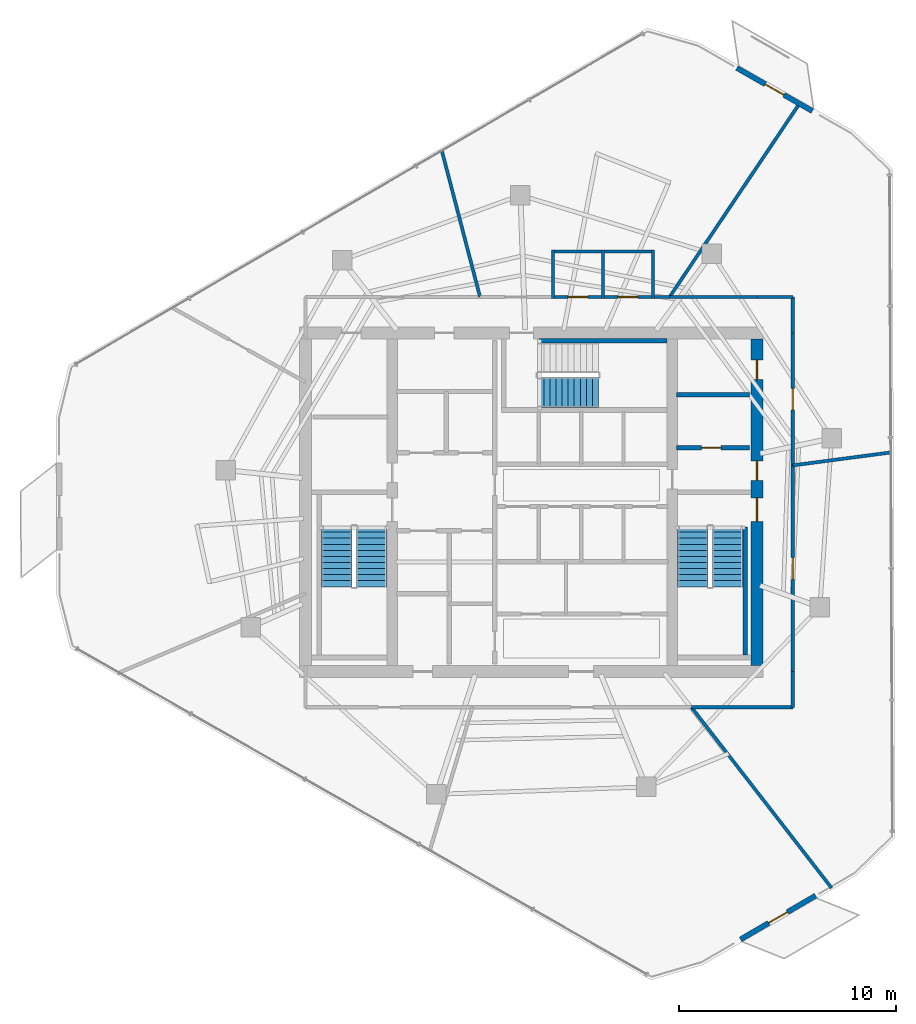
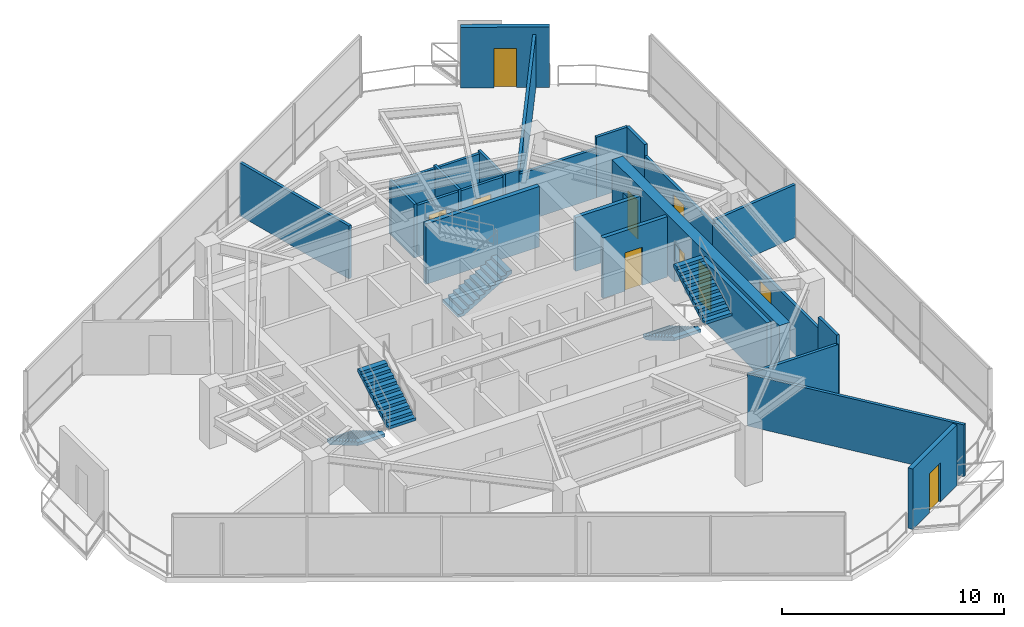
# One storey, part 16 of 19: 26 walls, 10 doors, 5 stair flights, 10 openings, 3 elements without a shape of their own.
"""IFC4 building model written with IfcOpenShell, lengths in metres."""

from ifc_helpers import new_model, si_unit, direction, frame, frame_2d, origin, place, context, subcontext, project, spatial, polyline, rectangle, outline, extrude, material, layer, layer_set, type_object, element, fill, aggregate, save


model = new_model("IFC4")

# Units and contexts
model_context = context("Model", 3, precision=1e-05, world=origin(), true_north=direction((0.0, 1.0)))
body_context = subcontext(model_context, "Body", "Model", "MODEL_VIEW")
ifc_project = project(units=[si_unit("LENGTHUNIT", "METRE"), si_unit("AREAUNIT", "SQUARE_METRE"), si_unit("VOLUMEUNIT", "CUBIC_METRE"), si_unit("PLANEANGLEUNIT", "RADIAN"), si_unit("MASSUNIT", "GRAM", prefix="KILO")], contexts=[model_context])

# Site, building, storey
site_placement = place(None, origin())
site = spatial("IfcSite", under=ifc_project, at=site_placement, CompositionType="ELEMENT")
building_placement = place(site_placement, origin())
building = spatial("IfcBuilding", under=site, at=building_placement, Name="Qarnah Convention Tower", CompositionType="ELEMENT")
storey_placement = place(building_placement, frame((0.0, 0.0, 180.60009765625)))
storey = spatial("IfcBuildingStorey", under=building, at=storey_placement, Name="L48", CompositionType="ELEMENT", Elevation=180.60009765625)

# Wall, openings, doors
ifc_material_1 = material(Name="Concrete C60/75", Category="concrete")
ifc_layer_1 = layer(ifc_material_1, 0.550048828125)
ifc_layer_set_1 = layer_set([ifc_layer_1], Name="Concrete C60/75")
wall_type_1 = type_object("IfcWallType", Name="WL-CORE-550", PredefinedType="SHEAR", material=ifc_layer_set_1)
wall_1_placement = place(storey_placement, frame((47.60009765625, 18.875, 0.0), z_axis=(0.0, 0.0, 1.0), x_axis=(0.0, 1.0, 0.0)))
wall_1 = element("IfcWall", 1, at=wall_1_placement, inside=storey, type_object=wall_type_1, Name="L48 core east shear wall", PredefinedType="SHEAR", context=body_context, shape_type="SweptSolid", body=[
    extrude(rectangle(XDim=15.050048828125, YDim=0.550048828125, at=frame_2d((7.52490234375, 0.0))), origin(), (0.0, 0.0, 1.0), 3.31982421875),
])
opening_1_placement = place(wall_1_placement, frame((6.625, 0.0, 0.0)))
opening_1 = element("IfcOpeningElement", 2, at=opening_1_placement, cuts=wall_1, Name="Opening D-4802", PredefinedType="OPENING", context=body_context, shape_type="SweptSolid", body=[
    extrude(rectangle(XDim=1.10009765625, YDim=2.14990234375, at=frame_2d((0.550048828125, 1.074951171875))), frame((0.0, 0.284912109375, 0.0), z_axis=(0.0, -1.0, 0.0), x_axis=(1.0, 0.0, 0.0)), (0.0, 0.0, 1.0), 0.570068359375),
])
opening_2_placement = place(wall_1_placement, frame((8.52490234375, 0.0, 0.0)))
opening_2 = element("IfcOpeningElement", 3, at=opening_2_placement, cuts=wall_1, Name="Opening D-4806", PredefinedType="OPENING", context=body_context, shape_type="SweptSolid", body=[
    extrude(rectangle(XDim=0.89990234375, YDim=2.10009765625, at=frame_2d((0.449951171875, 1.050048828125))), frame((0.0, 0.284912109375, 0.0), z_axis=(0.0, -1.0, 0.0), x_axis=(1.0, 0.0, 0.0)), (0.0, 0.0, 1.0), 0.570068359375),
])
opening_3_placement = place(wall_1_placement, frame((13.175048828125, 0.0, 0.0)))
opening_3 = element("IfcOpeningElement", 4, at=opening_3_placement, cuts=wall_1, Name="Opening D-4812", PredefinedType="OPENING", context=body_context, shape_type="SweptSolid", body=[
    extrude(rectangle(XDim=0.89990234375, YDim=2.10009765625, at=frame_2d((0.449951171875, 1.050048828125))), frame((0.0, 0.284912109375, 0.0), z_axis=(0.0, -1.0, 0.0), x_axis=(1.0, 0.0, 0.0)), (0.0, 0.0, 1.0), 0.570068359375),
])
ifc_material_2 = material(Name="Structural steel S355JR", Category="steel")
door_type_1 = type_object("IfcDoorType", Name="DT-RISER-900", OperationType="NOTDEFINED", PredefinedType="DOOR", material=ifc_material_2)
door_1_placement = place(opening_2_placement, origin())
door_1 = element("IfcDoor", 5, at=door_1_placement, inside=storey, type_object=door_type_1, Name="Door D-4806", OperationType="SINGLE_SWING_LEFT", OverallHeight=2.10009765625, OverallWidth=0.89990234375, PredefinedType="DOOR", context=body_context, shape_type="SweptSolid", body=[
    extrude(rectangle(XDim=0.89990234375, YDim=2.10009765625, at=frame_2d((0.449951171875, 1.050048828125))), frame((0.0, 0.02490234375, 0.0), z_axis=(0.0, -1.0, 0.0), x_axis=(1.0, 0.0, 0.0)), (0.0, 0.0, 1.0), 0.050048828125),
])
fill(opening_2, door_1)
door_2_placement = place(opening_3_placement, origin())
door_2 = element("IfcDoor", 6, at=door_2_placement, inside=storey, type_object=door_type_1, Name="Door D-4812", OperationType="SINGLE_SWING_LEFT", OverallHeight=2.10009765625, OverallWidth=0.89990234375, PredefinedType="DOOR", context=body_context, shape_type="SweptSolid", body=[
    extrude(rectangle(XDim=0.89990234375, YDim=2.10009765625, at=frame_2d((0.449951171875, 1.050048828125))), frame((0.0, 0.02490234375, 0.0), z_axis=(0.0, -1.0, 0.0), x_axis=(1.0, 0.0, 0.0)), (0.0, 0.0, 1.0), 0.050048828125),
])
fill(opening_3, door_2)
door_type_2 = type_object("IfcDoorType", Name="DT-STAIR-1100", OperationType="NOTDEFINED", PredefinedType="DOOR", material=ifc_material_2)
door_3_placement = place(opening_1_placement, origin())
door_3 = element("IfcDoor", 7, at=door_3_placement, inside=storey, type_object=door_type_2, Name="Door D-4802", OperationType="SINGLE_SWING_LEFT", OverallHeight=2.14990234375, OverallWidth=1.10009765625, PredefinedType="DOOR", context=body_context, shape_type="SweptSolid", body=[
    extrude(rectangle(XDim=1.10009765625, YDim=2.14990234375, at=frame_2d((0.550048828125, 1.074951171875))), frame((0.0, 0.02490234375, 0.0), z_axis=(0.0, -1.0, 0.0), x_axis=(1.0, 0.0, 0.0)), (0.0, 0.0, 1.0), 0.050048828125),
])
fill(opening_1, door_3)

# Wall, opening, door
ifc_material_3 = material(Name="Concrete C45/55", Category="concrete")
ifc_layer_2 = layer(ifc_material_3, 0.199951171875)
ifc_layer_set_2 = layer_set([ifc_layer_2], Name="Concrete C45/55")
wall_type_2 = type_object("IfcWallType", Name="WL-CORE-PART-200", PredefinedType="SOLIDWALL", material=ifc_layer_set_2)
wall_2_placement = place(storey_placement, frame((43.89990234375, 28.89990234375, 0.0), z_axis=(0.0, 0.0, 1.0), x_axis=(1.0, 0.0, 0.0)))
wall_2 = element("IfcWall", 8, at=wall_2_placement, inside=storey, type_object=wall_type_2, Name="L48 interior wall IW-L48-EVSTN", PredefinedType="SOLIDWALL", context=body_context, shape_type="SweptSolid", body=[
    extrude(rectangle(XDim=3.35009765625, YDim=0.199951171875, at=frame_2d((1.675048828125, 0.0))), origin(), (0.0, 0.0, 1.0), 3.31982421875),
])
opening_4_placement = place(wall_2_placement, frame((1.14990234375, 0.0, 0.0)))
opening_4 = element("IfcOpeningElement", 9, at=opening_4_placement, cuts=wall_2, Name="Opening D-4811", PredefinedType="OPENING", context=body_context, shape_type="SweptSolid", body=[
    extrude(rectangle(XDim=0.89990234375, YDim=2.10009765625, at=frame_2d((0.449951171875, 1.050048828125))), frame((0.0, 0.10986328125, 0.0), z_axis=(0.0, -1.0, 0.0), x_axis=(1.0, 0.0, 0.0)), (0.0, 0.0, 1.0), 0.219970703125),
])
door_4_placement = place(opening_4_placement, origin())
door_4 = element("IfcDoor", 10, at=door_4_placement, inside=storey, type_object=door_type_1, Name="Door D-4811", OperationType="SINGLE_SWING_RIGHT", OverallHeight=2.10009765625, OverallWidth=0.89990234375, PredefinedType="DOOR", context=body_context, shape_type="SweptSolid", body=[
    extrude(rectangle(XDim=0.89990234375, YDim=2.10009765625, at=frame_2d((0.449951171875, 1.050048828125))), frame((0.0, 0.02490234375, 0.0), z_axis=(0.0, -1.0, 0.0), x_axis=(1.0, 0.0, 0.0)), (0.0, 0.0, 1.0), 0.050048828125),
])
fill(opening_4, door_4)

# Walls
wall_3_placement = place(storey_placement, frame((43.89990234375, 31.35009765625, 0.0), z_axis=(0.0, 0.0, 1.0), x_axis=(1.0, 0.0, 0.0)))
element("IfcWall", 11, at=wall_3_placement, inside=storey, type_object=wall_type_2, Name="L48 interior wall IW-L48-WTRN", PredefinedType="SOLIDWALL", context=body_context, shape_type="SweptSolid", body=[
    extrude(rectangle(XDim=3.35009765625, YDim=0.199951171875, at=frame_2d((1.675048828125, 0.0))), origin(), (0.0, 0.0, 1.0), 2.948974609375),
])
ifc_layer_3 = layer(ifc_material_1, 0.219970703125)
ifc_layer_set_3 = layer_set([ifc_layer_3], Name="Concrete C60/75")
wall_type_3 = type_object("IfcWallType", Name="WL-CORE-STAIR-220", PredefinedType="SHEAR", material=ifc_layer_set_3)
for number, where, z_axis, x_axis, name in (
    (12, (47.06005859375, 19.35009765625, 0.0), (0.0, 0.0, 1.0), (0.0, 1.0, 0.0), "L48 stair shaft shear wall SW-L48-ST2E"),
    (13, (37.550048828125, 33.840087890625, 0.0), (0.0, 0.0, 1.0), (1.0, 0.0, 0.0), "L48 stair shaft shear wall SW-L48-ST3N"),
):
    element("IfcWall", number, at=place(storey_placement, frame(where, z_axis=z_axis, x_axis=x_axis)), inside=storey, type_object=wall_type_3, Name=name, PredefinedType="SHEAR", context=body_context, shape_type="SweptSolid", body=[
        extrude(rectangle(XDim=5.89990234375, YDim=0.219970703125, at=frame_2d((2.949951171875, 0.0))), origin(), (0.0, 0.0, 1.0), 3.31982421875),
    ])

# Wall, opening, door
ifc_material_4 = material(Name="Precast concrete C45/55", Category="concrete")
ifc_layer_4 = layer(ifc_material_4, 0.239990234375)
ifc_layer_set_4 = layer_set([ifc_layer_4], Name="Precast concrete C45/55")
wall_type_4 = type_object("IfcWallType", Name="WL-EXT-BAL-240", PredefinedType="SOLIDWALL", material=ifc_layer_set_4)
wall_4_placement = place(storey_placement, frame((46.677978515625, 46.39990234375, 0.0), z_axis=(0.0, 0.0, 1.0), x_axis=(0.868205580385, -0.496204665626, 0.0)))
wall_4 = element("IfcWall", 14, at=wall_4_placement, inside=storey, type_object=wall_type_4, Name="L48 loggia threshold wall BAL-L48-C1", PredefinedType="SOLIDWALL", context=body_context, shape_type="SweptSolid", body=[
    extrude(rectangle(XDim=4.0, YDim=0.239990234375, at=frame_2d((2.0, 0.0))), origin(), (0.0, 0.0, 1.0), 3.31982421875),
])
opening_5_placement = place(wall_4_placement, frame((1.5, 0.0, 0.0)))
opening_5 = element("IfcOpeningElement", 15, at=opening_5_placement, cuts=wall_4, Name="Opening BD-4801", PredefinedType="OPENING", context=body_context, shape_type="SweptSolid", body=[
    extrude(rectangle(XDim=1.0, YDim=2.14990234375, at=frame_2d((0.5, 1.074951171875))), frame((0.0, 0.1298828125, 0.0), z_axis=(0.0, -1.0, 0.0), x_axis=(1.0, 0.0, 0.0)), (0.0, 0.0, 1.0), 0.260009765625),
])
ifc_material_5 = material(Name="Black anodised aluminium", Category="aluminium")
door_type_3 = type_object("IfcDoorType", Name="DT-BAL-1000", OperationType="NOTDEFINED", PredefinedType="DOOR", material=ifc_material_5)
door_5_placement = place(opening_5_placement, origin())
door_5 = element("IfcDoor", 16, at=door_5_placement, inside=storey, type_object=door_type_3, Name="L48 balcony terrace door BAL-L48-C1", OperationType="SINGLE_SWING_LEFT", OverallHeight=2.14990234375, OverallWidth=1.0, PredefinedType="DOOR", context=body_context, shape_type="SweptSolid", body=[
    extrude(rectangle(XDim=1.0, YDim=2.14990234375, at=frame_2d((0.5, 1.074951171875))), frame((0.0, 0.02490234375, 0.0), z_axis=(0.0, -1.0, 0.0), x_axis=(1.0, 0.0, 0.0)), (0.0, 0.0, 1.0), 0.050048828125),
])
fill(opening_5, door_5)

wall_5_placement = place(storey_placement, frame((50.302001953125, 8.27392578125, 0.0), z_axis=(0.0, 0.0, 1.0), x_axis=(-0.863902826637, -0.50365852135, 0.0)))
wall_5 = element("IfcWall", 17, at=wall_5_placement, inside=storey, type_object=wall_type_4, Name="L48 loggia threshold wall BAL-L48-C3", PredefinedType="SOLIDWALL", context=body_context, shape_type="SweptSolid", body=[
    extrude(rectangle(XDim=4.00048828125, YDim=0.239990234375, at=frame_2d((2.000244140625, 0.0))), origin(), (0.0, 0.0, 1.0), 3.31982421875),
])
opening_6_placement = place(wall_5_placement, frame((1.5, 0.0, 0.0)))
opening_6 = element("IfcOpeningElement", 18, at=opening_6_placement, cuts=wall_5, Name="Opening BD-4803", PredefinedType="OPENING", context=body_context, shape_type="SweptSolid", body=[
    extrude(rectangle(XDim=1.0, YDim=2.14990234375, at=frame_2d((0.5, 1.074951171875))), frame((0.0, 0.1298828125, 0.0), z_axis=(0.0, -1.0, 0.0), x_axis=(1.0, 0.0, 0.0)), (0.0, 0.0, 1.0), 0.260009765625),
])
door_6_placement = place(opening_6_placement, origin())
door_6 = element("IfcDoor", 19, at=door_6_placement, inside=storey, type_object=door_type_3, Name="L48 balcony terrace door BAL-L48-C3", OperationType="SINGLE_SWING_LEFT", OverallHeight=2.14990234375, OverallWidth=1.0, PredefinedType="DOOR", context=body_context, shape_type="SweptSolid", body=[
    extrude(rectangle(XDim=1.0, YDim=2.14990234375, at=frame_2d((0.5, 1.074951171875))), frame((0.0, 0.02490234375, 0.0), z_axis=(0.0, -1.0, 0.0), x_axis=(1.0, 0.0, 0.0)), (0.0, 0.0, 1.0), 0.050048828125),
])
fill(opening_6, door_6)

# Walls
ifc_material_6 = material(Name="Gypsum partition board")
ifc_layer_5 = layer(ifc_material_6, 0.14990234375)
ifc_layer_set_5 = layer_set([ifc_layer_5], Name="Gypsum partition board")
wall_type_5 = type_object("IfcWallType", Name="WL-SUITE-150", PredefinedType="PARTITIONING", material=ifc_layer_set_5)
wall_6_placement = place(storey_placement, frame((49.589111328125, 44.805908203125, 0.0), z_axis=(0.0, 0.0, 1.0), x_axis=(-0.55755874388, -0.83013748688, 0.0)))
element("IfcWall", 20, at=wall_6_placement, inside=storey, type_object=wall_type_5, Name="L48 interior wall IW-L48-R-08", PredefinedType="PARTITIONING", context=body_context, shape_type="SweptSolid", body=[
    extrude(rectangle(XDim=10.788330078125, YDim=0.14990234375, at=frame_2d((5.39404296875, 0.0))), origin(), (0.0, 0.0, 1.0), 2.90478515625),
])
wall_7_placement = place(storey_placement, frame((43.573974609375, 35.85009765625, 0.0), z_axis=(0.0, 0.0, 1.0), x_axis=(1.0, 0.0, 0.0)))
element("IfcWall", 21, at=wall_7_placement, inside=storey, type_object=wall_type_5, Name="L48 interior wall IW-L48-R-09", PredefinedType="PARTITIONING", context=body_context, shape_type="SweptSolid", body=[
    extrude(rectangle(XDim=4.026123046875, YDim=0.14990234375, at=frame_2d((2.01318359375, 0.0))), origin(), (0.0, 0.0, 1.0), 2.697021484375),
])
wall_8_placement = place(storey_placement, frame((47.60009765625, 35.85009765625, 0.0), z_axis=(0.0, 0.0, 1.0), x_axis=(1.0, 0.0, 0.0)))
element("IfcWall", 22, at=wall_8_placement, inside=storey, type_object=wall_type_5, Name="L48 interior wall IW-L48-R-10", PredefinedType="PARTITIONING", context=body_context, shape_type="SweptSolid", body=[
    extrude(rectangle(XDim=1.64990234375, YDim=0.14990234375, at=frame_2d((0.824951171875, 0.0))), origin(), (0.0, 0.0, 1.0), 3.31982421875),
])
wall_9_placement = place(storey_placement, frame((49.25, 35.85009765625, 0.0), z_axis=(0.0, 0.0, 1.0), x_axis=(0.0, -1.0, 0.0)))
element("IfcWall", 23, at=wall_9_placement, inside=storey, type_object=wall_type_5, Name="L48 interior wall IW-L48-R-11", PredefinedType="PARTITIONING", context=body_context, shape_type="SweptSolid", body=[
    extrude(rectangle(XDim=1.650146484375, YDim=0.14990234375, at=frame_2d((0.8251953125, 0.0))), origin(), (0.0, 0.0, 1.0), 3.31982421875),
])

# Wall, opening, door
wall_10_placement = place(storey_placement, frame((49.25, 34.199951171875, 0.0), z_axis=(0.0, 0.0, 1.0), x_axis=(0.0, -1.0, 0.0)))
wall_10 = element("IfcWall", 24, at=wall_10_placement, inside=storey, type_object=wall_type_5, Name="L48 interior wall IW-L48-R-12", PredefinedType="PARTITIONING", context=body_context, shape_type="SweptSolid", body=[
    extrude(rectangle(XDim=6.10595703125, YDim=0.14990234375, at=frame_2d((3.052978515625, 0.0))), origin(), (0.0, 0.0, 1.0), 2.697021484375),
])
opening_7_placement = place(wall_10_placement, frame((2.552978515625, 0.0, 0.0)))
opening_7 = element("IfcOpeningElement", 25, at=opening_7_placement, cuts=wall_10, Name="Opening D-4820", PredefinedType="OPENING", context=body_context, shape_type="SweptSolid", body=[
    extrude(rectangle(XDim=1.0, YDim=2.14990234375, at=frame_2d((0.5, 1.074951171875))), frame((0.0, 0.0849609375, 0.0), z_axis=(0.0, -1.0, 0.0), x_axis=(1.0, 0.0, 0.0)), (0.0, 0.0, 1.0), 0.169921875),
])
ifc_material_7 = material(Name="Oak timber veneer", Category="wood")
door_type_4 = type_object("IfcDoorType", Name="DT-OFFICE-1000", OperationType="NOTDEFINED", PredefinedType="DOOR", material=ifc_material_7)
door_7_placement = place(opening_7_placement, origin())
door_7 = element("IfcDoor", 26, at=door_7_placement, inside=storey, type_object=door_type_4, Name="Door D-4820", OperationType="SINGLE_SWING_LEFT", OverallHeight=2.14990234375, OverallWidth=1.0, PredefinedType="DOOR", context=body_context, shape_type="SweptSolid", body=[
    extrude(rectangle(XDim=1.0, YDim=2.14990234375, at=frame_2d((0.5, 1.074951171875))), frame((0.0, 0.02490234375, 0.0), z_axis=(0.0, -1.0, 0.0), x_axis=(1.0, 0.0, 0.0)), (0.0, 0.0, 1.0), 0.050048828125),
])
fill(opening_7, door_7)

# Walls
wall_11_placement = place(storey_placement, frame((49.25, 28.093994140625, 0.0), z_axis=(0.0, 0.0, 1.0), x_axis=(0.991396749082, 0.130891122349, 0.0)))
element("IfcWall", 27, at=wall_11_placement, inside=storey, type_object=wall_type_5, Name="L48 interior wall IW-L48-R-13", PredefinedType="PARTITIONING", context=body_context, shape_type="SweptSolid", body=[
    extrude(rectangle(XDim=4.599609375, YDim=0.14990234375, at=frame_2d((2.2998046875, 0.0))), origin(), (0.0, 0.0, 1.0), 2.90478515625),
])
wall_12_placement = place(storey_placement, frame((33.072998046875, 42.631103515625, 0.0), z_axis=(0.0, 0.0, 1.0), x_axis=(0.252694156197, -0.967546207384, 0.0)))
element("IfcWall", 28, at=wall_12_placement, inside=storey, type_object=wall_type_5, Name="L48 interior wall IW-L48-R-14", PredefinedType="PARTITIONING", context=body_context, shape_type="SweptSolid", body=[
    extrude(rectangle(XDim=7.008544921875, YDim=0.14990234375, at=frame_2d((3.50439453125, 0.0))), origin(), (0.0, 0.0, 1.0), 2.90478515625),
])
wall_13_placement = place(storey_placement, frame((42.8701171875, 35.85009765625, 0.0), z_axis=(0.0, 0.0, 1.0), x_axis=(1.0, 0.0, 0.0)))
element("IfcWall", 29, at=wall_13_placement, inside=storey, type_object=wall_type_5, Name="L48 interior wall IW-L48-R-16", PredefinedType="PARTITIONING", context=body_context, shape_type="SweptSolid", body=[
    extrude(rectangle(XDim=0.703857421875, YDim=0.14990234375, at=frame_2d((0.35205078125, 0.0))), origin(), (0.0, 0.0, 1.0), 2.948974609375),
])
wall_14_placement = place(storey_placement, frame((51.034912109375, 8.6298828125, 0.0), z_axis=(0.0, 0.0, 1.0), x_axis=(-0.612800173813, 0.790237905301, 0.0)))
element("IfcWall", 30, at=wall_14_placement, inside=storey, type_object=wall_type_5, Name="L48 interior wall IW-L48-R-24", PredefinedType="PARTITIONING", context=body_context, shape_type="SweptSolid", body=[
    extrude(rectangle(XDim=10.528564453125, YDim=0.14990234375, at=frame_2d((5.26416015625, 0.0))), origin(), (0.0, 0.0, 1.0), 2.8408203125),
])

# Wall, opening, door
wall_15_placement = place(storey_placement, frame((49.25, 28.093994140625, 0.0), z_axis=(0.0, 0.0, 1.0), x_axis=(0.0, -1.0, 0.0)))
wall_15 = element("IfcWall", 31, at=wall_15_placement, inside=storey, type_object=wall_type_5, Name="L48 interior wall IW-L48-R-26", PredefinedType="PARTITIONING", context=body_context, shape_type="SweptSolid", body=[
    extrude(rectangle(XDim=9.493896484375, YDim=0.14990234375, at=frame_2d((4.7470703125, 0.0))), origin(), (0.0, 0.0, 1.0), 2.697021484375),
])
opening_8_placement = place(wall_15_placement, frame((4.2470703125, 0.0, 0.0)))
opening_8 = element("IfcOpeningElement", 32, at=opening_8_placement, cuts=wall_15, Name="Opening D-4826", PredefinedType="OPENING", context=body_context, shape_type="SweptSolid", body=[
    extrude(rectangle(XDim=1.0, YDim=2.14990234375, at=frame_2d((0.5, 1.074951171875))), frame((0.0, 0.0849609375, 0.0), z_axis=(0.0, -1.0, 0.0), x_axis=(1.0, 0.0, 0.0)), (0.0, 0.0, 1.0), 0.169921875),
])
door_8_placement = place(opening_8_placement, origin())
door_8 = element("IfcDoor", 33, at=door_8_placement, inside=storey, type_object=door_type_4, Name="Door D-4826", OperationType="SINGLE_SWING_LEFT", OverallHeight=2.14990234375, OverallWidth=1.0, PredefinedType="DOOR", context=body_context, shape_type="SweptSolid", body=[
    extrude(rectangle(XDim=1.0, YDim=2.14990234375, at=frame_2d((0.5, 1.074951171875))), frame((0.0, 0.02490234375, 0.0), z_axis=(0.0, -1.0, 0.0), x_axis=(1.0, 0.0, 0.0)), (0.0, 0.0, 1.0), 0.050048828125),
])
fill(opening_8, door_8)

# Walls
wall_16_placement = place(storey_placement, frame((49.25, 18.60009765625, 0.0), z_axis=(0.0, 0.0, 1.0), x_axis=(0.0, -1.0, 0.0)))
element("IfcWall", 34, at=wall_16_placement, inside=storey, type_object=wall_type_5, Name="L48 interior wall IW-L48-R-27", PredefinedType="PARTITIONING", context=body_context, shape_type="SweptSolid", body=[
    extrude(rectangle(XDim=1.650146484375, YDim=0.14990234375, at=frame_2d((0.8251953125, 0.0))), origin(), (0.0, 0.0, 1.0), 3.31982421875),
])
wall_17_placement = place(storey_placement, frame((49.25, 16.949951171875, 0.0), z_axis=(0.0, 0.0, 1.0), x_axis=(-1.0, 0.0, 0.0)))
element("IfcWall", 35, at=wall_17_placement, inside=storey, type_object=wall_type_5, Name="L48 interior wall IW-L48-R-28", PredefinedType="PARTITIONING", context=body_context, shape_type="SweptSolid", body=[
    extrude(rectangle(XDim=4.6669921875, YDim=0.14990234375, at=frame_2d((2.33349609375, 0.0))), origin(), (0.0, 0.0, 1.0), 2.8408203125),
])

# Wall, opening, door
ifc_layer_6 = layer(ifc_material_6, 0.139892578125)
ifc_layer_set_6 = layer_set([ifc_layer_6], Name="Gypsum partition board")
wall_type_6 = type_object("IfcWallType", Name="WL-WET-140", PredefinedType="PARTITIONING", material=ifc_layer_set_6)
wall_18_placement = place(storey_placement, frame((38.1298828125, 35.85009765625, 0.0), z_axis=(0.0, 0.0, 1.0), x_axis=(1.0, 0.0, 0.0)))
wall_18 = element("IfcWall", 36, at=wall_18_placement, inside=storey, type_object=wall_type_6, Name="L48 interior wall IW-L48-WCM-1", PredefinedType="PARTITIONING", context=body_context, shape_type="SweptSolid", body=[
    extrude(rectangle(XDim=2.440185546875, YDim=0.139892578125, at=frame_2d((1.22021484375, 0.0))), origin(), (0.0, 0.0, 1.0), 2.8408203125),
])
opening_9_placement = place(wall_18_placement, frame((0.760009765625, 0.0, 0.0)))
opening_9 = element("IfcOpeningElement", 37, at=opening_9_placement, cuts=wall_18, Name="Opening D-4818", PredefinedType="OPENING", context=body_context, shape_type="SweptSolid", body=[
    extrude(rectangle(XDim=0.919921875, YDim=2.10009765625, at=frame_2d((0.4599609375, 1.050048828125))), frame((0.0, 0.079833984375, 0.0), z_axis=(0.0, -1.0, 0.0), x_axis=(1.0, 0.0, 0.0)), (0.0, 0.0, 1.0), 0.159912109375),
])
door_type_5 = type_object("IfcDoorType", Name="DT-WC-920", OperationType="NOTDEFINED", PredefinedType="DOOR", material=ifc_material_7)
door_9_placement = place(opening_9_placement, origin())
door_9 = element("IfcDoor", 38, at=door_9_placement, inside=storey, type_object=door_type_5, Name="Door D-4818", OperationType="SINGLE_SWING_LEFT", OverallHeight=2.10009765625, OverallWidth=0.919921875, PredefinedType="DOOR", context=body_context, shape_type="SweptSolid", body=[
    extrude(rectangle(XDim=0.919921875, YDim=2.10009765625, at=frame_2d((0.4599609375, 1.050048828125))), frame((0.0, 0.02490234375, 0.0), z_axis=(0.0, -1.0, 0.0), x_axis=(1.0, 0.0, 0.0)), (0.0, 0.0, 1.0), 0.050048828125),
])
fill(opening_9, door_9)

# Walls
wall_19_placement = place(storey_placement, frame((40.5, 35.780029296875, 0.0), z_axis=(0.0, 0.0, 1.0), x_axis=(0.0, 1.0, 0.0)))
element("IfcWall", 39, at=wall_19_placement, inside=storey, type_object=wall_type_6, Name="L48 interior wall IW-L48-WCM-2", PredefinedType="PARTITIONING", context=body_context, shape_type="SweptSolid", body=[
    extrude(rectangle(XDim=2.239990234375, YDim=0.139892578125, at=frame_2d((1.1201171875, 0.0))), origin(), (0.0, 0.0, 1.0), 2.948974609375),
])
wall_20_placement = place(storey_placement, frame((40.570068359375, 37.949951171875, 0.0), z_axis=(0.0, 0.0, 1.0), x_axis=(-1.0, 0.0, 0.0)))
element("IfcWall", 40, at=wall_20_placement, inside=storey, type_object=wall_type_6, Name="L48 interior wall IW-L48-WCM-3", PredefinedType="PARTITIONING", context=body_context, shape_type="SweptSolid", body=[
    extrude(rectangle(XDim=2.440185546875, YDim=0.139892578125, at=frame_2d((1.22021484375, 0.0))), origin(), (0.0, 0.0, 1.0), 2.8408203125),
])
wall_21_placement = place(storey_placement, frame((38.199951171875, 38.02001953125, 0.0), z_axis=(0.0, 0.0, 1.0), x_axis=(0.0, -1.0, 0.0)))
element("IfcWall", 41, at=wall_21_placement, inside=storey, type_object=wall_type_6, Name="L48 interior wall IW-L48-WCM-4", PredefinedType="PARTITIONING", context=body_context, shape_type="SweptSolid", body=[
    extrude(rectangle(XDim=2.239990234375, YDim=0.139892578125, at=frame_2d((1.1201171875, 0.0))), origin(), (0.0, 0.0, 1.0), 2.948974609375),
])

# Wall, opening, door
wall_22_placement = place(storey_placement, frame((40.429931640625, 35.85009765625, 0.0), z_axis=(0.0, 0.0, 1.0), x_axis=(1.0, 0.0, 0.0)))
wall_22 = element("IfcWall", 42, at=wall_22_placement, inside=storey, type_object=wall_type_6, Name="L48 interior wall IW-L48-WCF-1", PredefinedType="PARTITIONING", context=body_context, shape_type="SweptSolid", body=[
    extrude(rectangle(XDim=2.440185546875, YDim=0.139892578125, at=frame_2d((1.22021484375, 0.0))), origin(), (0.0, 0.0, 1.0), 2.8408203125),
])
opening_10_placement = place(wall_22_placement, frame((0.760009765625, 0.0, 0.0)))
opening_10 = element("IfcOpeningElement", 43, at=opening_10_placement, cuts=wall_22, Name="Opening D-4819", PredefinedType="OPENING", context=body_context, shape_type="SweptSolid", body=[
    extrude(rectangle(XDim=0.919921875, YDim=2.10009765625, at=frame_2d((0.4599609375, 1.050048828125))), frame((0.0, 0.079833984375, 0.0), z_axis=(0.0, -1.0, 0.0), x_axis=(1.0, 0.0, 0.0)), (0.0, 0.0, 1.0), 0.159912109375),
])
door_10_placement = place(opening_10_placement, origin())
door_10 = element("IfcDoor", 44, at=door_10_placement, inside=storey, type_object=door_type_5, Name="Door D-4819", OperationType="SINGLE_SWING_RIGHT", OverallHeight=2.10009765625, OverallWidth=0.919921875, PredefinedType="DOOR", context=body_context, shape_type="SweptSolid", body=[
    extrude(rectangle(XDim=0.919921875, YDim=2.10009765625, at=frame_2d((0.4599609375, 1.050048828125))), frame((0.0, 0.02490234375, 0.0), z_axis=(0.0, -1.0, 0.0), x_axis=(1.0, 0.0, 0.0)), (0.0, 0.0, 1.0), 0.050048828125),
])
fill(opening_10, door_10)

# Walls
wall_23_placement = place(storey_placement, frame((42.800048828125, 35.780029296875, 0.0), z_axis=(0.0, 0.0, 1.0), x_axis=(0.0, 1.0, 0.0)))
element("IfcWall", 45, at=wall_23_placement, inside=storey, type_object=wall_type_6, Name="L48 interior wall IW-L48-WCF-2", PredefinedType="PARTITIONING", context=body_context, shape_type="SweptSolid", body=[
    extrude(rectangle(XDim=2.239990234375, YDim=0.139892578125, at=frame_2d((1.1201171875, 0.0))), origin(), (0.0, 0.0, 1.0), 2.948974609375),
])
wall_24_placement = place(storey_placement, frame((42.8701171875, 37.949951171875, 0.0), z_axis=(0.0, 0.0, 1.0), x_axis=(-1.0, 0.0, 0.0)))
element("IfcWall", 46, at=wall_24_placement, inside=storey, type_object=wall_type_6, Name="L48 interior wall IW-L48-WCF-3", PredefinedType="PARTITIONING", context=body_context, shape_type="SweptSolid", body=[
    extrude(rectangle(XDim=2.440185546875, YDim=0.139892578125, at=frame_2d((1.22021484375, 0.0))), origin(), (0.0, 0.0, 1.0), 2.8408203125),
])

# Stair, stair flights
ifc_material_8 = material(Name="Concrete C50/60", Category="concrete")
stair_type = type_object("IfcStairType", Name="STR-OFF", PredefinedType="HALF_TURN_STAIR", material=ifc_material_8)
stair_1_placement = place(storey_placement, origin())
stair_1 = element("IfcStair", 47, at=stair_1_placement, inside=storey, type_object=stair_type, Name="L48 Core exit stair ST-1", PredefinedType="HALF_TURN_STAIR")
stair_flight_type = type_object("IfcStairFlightType", Name="FLT-OFF", PredefinedType="STRAIGHT", material=ifc_material_8)
stair_flight_1_placement = place(storey_placement, frame((28.25, 25.300048828125, 0.0), z_axis=(0.0, 0.0, 1.0), x_axis=(0.0, -1.0, 0.0)))
stair_flight_1 = element("IfcStairFlight", 48, at=stair_flight_1_placement, type_object=stair_flight_type, Name="ST-1 flight 1", NumberOfRisers=11, NumberOfTreads=10, PredefinedType="STRAIGHT", RiserHeight=0.163636364, TreadLength=0.28, context=body_context, shape_type="SweptSolid", body=[
    extrude(outline(polyline([(0.0, 0.0), (0.0, 0.16357421875), (0.280029296875, 0.16357421875), (0.280029296875, 0.327392578125), (0.56005859375, 0.327392578125), (0.56005859375, 0.490966796875), (0.840087890625, 0.490966796875), (0.840087890625, 0.654541015625), (1.1201171875, 0.654541015625), (1.1201171875, 0.818115234375), (1.39990234375, 0.818115234375), (1.39990234375, 0.98193359375), (1.679931640625, 0.98193359375), (1.679931640625, 1.1455078125), (1.9599609375, 1.1455078125), (1.9599609375, 1.30908203125), (2.239990234375, 1.30908203125), (2.239990234375, 1.47265625), (2.52001953125, 1.47265625), (2.52001953125, 1.636474609375), (2.800048828125, 1.636474609375), (2.800048828125, 1.800048828125), (2.800048828125, 1.462646484375), (0.297119140625, 0.0), (0.0, 0.0)])), frame((0.0, 0.699951171875, 0.0), z_axis=(0.0, -1.0, 0.0), x_axis=(1.0, 0.0, 0.0)), (0.0, 0.0, 1.0), 1.39990234375),
])
stair_flight_2_placement = place(storey_placement, frame((29.85009765625, 22.5, 1.7998046875), z_axis=(0.0, 0.0, 1.0), x_axis=(0.0, 1.0, 0.0)))
stair_flight_2 = element("IfcStairFlight", 49, at=stair_flight_2_placement, type_object=stair_flight_type, Name="ST-1 flight 2", NumberOfRisers=11, NumberOfTreads=10, PredefinedType="STRAIGHT", RiserHeight=0.163636364, TreadLength=0.28, context=body_context, shape_type="SweptSolid", body=[
    extrude(outline(polyline([(0.0, 0.0), (0.0, 0.16357421875), (0.280029296875, 0.16357421875), (0.280029296875, 0.327392578125), (0.56005859375, 0.327392578125), (0.56005859375, 0.490966796875), (0.840087890625, 0.490966796875), (0.840087890625, 0.654541015625), (1.1201171875, 0.654541015625), (1.1201171875, 0.818115234375), (1.39990234375, 0.818115234375), (1.39990234375, 0.98193359375), (1.679931640625, 0.98193359375), (1.679931640625, 1.1455078125), (1.9599609375, 1.1455078125), (1.9599609375, 1.30908203125), (2.239990234375, 1.30908203125), (2.239990234375, 1.47265625), (2.52001953125, 1.47265625), (2.52001953125, 1.636474609375), (2.800048828125, 1.636474609375), (2.800048828125, 1.800048828125), (2.800048828125, 1.462646484375), (0.297119140625, 0.0), (0.0, 0.0)])), frame((0.0, 0.699951171875, 0.0), z_axis=(0.0, -1.0, 0.0), x_axis=(1.0, 0.0, 0.0)), (0.0, 0.0, 1.0), 1.39990234375),
])
aggregate(stair_1, [stair_flight_1, stair_flight_2])

stair_2_placement = place(storey_placement, origin())
stair_2 = element("IfcStair", 50, at=stair_2_placement, inside=storey, type_object=stair_type, Name="L48 Core exit stair ST-2", PredefinedType="HALF_TURN_STAIR")
stair_flight_3_placement = place(storey_placement, frame((44.64990234375, 25.300048828125, 0.0), z_axis=(0.0, 0.0, 1.0), x_axis=(0.0, -1.0, 0.0)))
stair_flight_3 = element("IfcStairFlight", 51, at=stair_flight_3_placement, type_object=stair_flight_type, Name="ST-2 flight 1", NumberOfRisers=11, NumberOfTreads=10, PredefinedType="STRAIGHT", RiserHeight=0.163636364, TreadLength=0.28, context=body_context, shape_type="SweptSolid", body=[
    extrude(outline(polyline([(0.0, 0.0), (0.0, 0.16357421875), (0.280029296875, 0.16357421875), (0.280029296875, 0.327392578125), (0.56005859375, 0.327392578125), (0.56005859375, 0.490966796875), (0.840087890625, 0.490966796875), (0.840087890625, 0.654541015625), (1.1201171875, 0.654541015625), (1.1201171875, 0.818115234375), (1.39990234375, 0.818115234375), (1.39990234375, 0.98193359375), (1.679931640625, 0.98193359375), (1.679931640625, 1.1455078125), (1.9599609375, 1.1455078125), (1.9599609375, 1.30908203125), (2.239990234375, 1.30908203125), (2.239990234375, 1.47265625), (2.52001953125, 1.47265625), (2.52001953125, 1.636474609375), (2.800048828125, 1.636474609375), (2.800048828125, 1.800048828125), (2.800048828125, 1.462646484375), (0.297119140625, 0.0), (0.0, 0.0)])), frame((0.0, 0.699951171875, 0.0), z_axis=(0.0, -1.0, 0.0), x_axis=(1.0, 0.0, 0.0)), (0.0, 0.0, 1.0), 1.39990234375),
])
stair_flight_4_placement = place(storey_placement, frame((46.25, 22.5, 1.7998046875), z_axis=(0.0, 0.0, 1.0), x_axis=(0.0, 1.0, 0.0)))
stair_flight_4 = element("IfcStairFlight", 52, at=stair_flight_4_placement, type_object=stair_flight_type, Name="ST-2 flight 2", NumberOfRisers=11, NumberOfTreads=10, PredefinedType="STRAIGHT", RiserHeight=0.163636364, TreadLength=0.28, context=body_context, shape_type="SweptSolid", body=[
    extrude(outline(polyline([(0.0, 0.0), (0.0, 0.16357421875), (0.280029296875, 0.16357421875), (0.280029296875, 0.327392578125), (0.56005859375, 0.327392578125), (0.56005859375, 0.490966796875), (0.840087890625, 0.490966796875), (0.840087890625, 0.654541015625), (1.1201171875, 0.654541015625), (1.1201171875, 0.818115234375), (1.39990234375, 0.818115234375), (1.39990234375, 0.98193359375), (1.679931640625, 0.98193359375), (1.679931640625, 1.1455078125), (1.9599609375, 1.1455078125), (1.9599609375, 1.30908203125), (2.239990234375, 1.30908203125), (2.239990234375, 1.47265625), (2.52001953125, 1.47265625), (2.52001953125, 1.636474609375), (2.800048828125, 1.636474609375), (2.800048828125, 1.800048828125), (2.800048828125, 1.462646484375), (0.297119140625, 0.0), (0.0, 0.0)])), frame((0.0, 0.699951171875, 0.0), z_axis=(0.0, -1.0, 0.0), x_axis=(1.0, 0.0, 0.0)), (0.0, 0.0, 1.0), 1.39990234375),
])
aggregate(stair_2, [stair_flight_3, stair_flight_4])

# Stair, stair flight
stair_3_placement = place(storey_placement, origin())
stair_3 = element("IfcStair", 53, at=stair_3_placement, inside=storey, type_object=stair_type, Name="L48 Core exit stair ST-3", PredefinedType="HALF_TURN_STAIR")
stair_flight_5_placement = place(storey_placement, frame((37.5, 31.449951171875, 0.0), z_axis=(0.0, 0.0, 1.0), x_axis=(1.0, 0.0, 0.0)))
stair_flight_5 = element("IfcStairFlight", 54, at=stair_flight_5_placement, type_object=stair_flight_type, Name="ST-3 flight 1", NumberOfRisers=11, NumberOfTreads=10, PredefinedType="STRAIGHT", RiserHeight=0.163636364, TreadLength=0.28, context=body_context, shape_type="SweptSolid", body=[
    extrude(outline(polyline([(0.0, 0.0), (0.0, 0.16357421875), (0.280029296875, 0.16357421875), (0.280029296875, 0.327392578125), (0.56005859375, 0.327392578125), (0.56005859375, 0.490966796875), (0.840087890625, 0.490966796875), (0.840087890625, 0.654541015625), (1.1201171875, 0.654541015625), (1.1201171875, 0.818115234375), (1.39990234375, 0.818115234375), (1.39990234375, 0.98193359375), (1.679931640625, 0.98193359375), (1.679931640625, 1.1455078125), (1.9599609375, 1.1455078125), (1.9599609375, 1.30908203125), (2.239990234375, 1.30908203125), (2.239990234375, 1.47265625), (2.52001953125, 1.47265625), (2.52001953125, 1.636474609375), (2.800048828125, 1.636474609375), (2.800048828125, 1.800048828125), (2.800048828125, 1.462646484375), (0.297119140625, 0.0), (0.0, 0.0)])), frame((0.0, 0.699951171875, 0.0), z_axis=(0.0, -1.0, 0.0), x_axis=(1.0, 0.0, 0.0)), (0.0, 0.0, 1.0), 1.39990234375),
])
aggregate(stair_3, [stair_flight_5])

save(model, "model.ifc")
